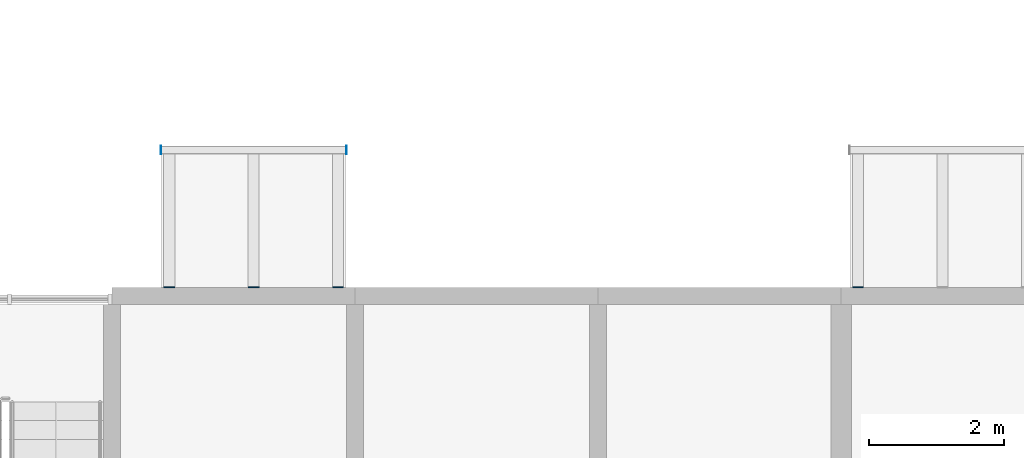
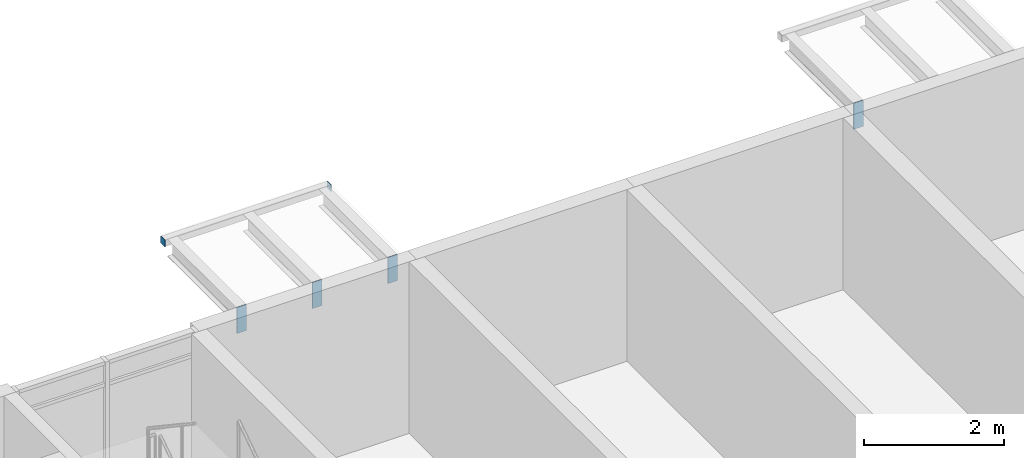
# One storey, part 96 of 122: 6 discrete accessories.
"""IFC4 building model written with IfcOpenShell, lengths in metres."""

from ifc_helpers import new_model, si_unit, direction, frame, origin, origin_2d, place, context, subcontext, project, spatial, rectangle, extrude, material, layer, layer_set, type_object, element, save


model = new_model("IFC4")

# Units and contexts
model_context = context("Model", 3, precision=1e-05, world=origin(), true_north=direction((0.0, 1.0)))
body_context = subcontext(model_context, "Body", "Model", "MODEL_VIEW")
ifc_project = project(units=[si_unit("LENGTHUNIT", "METRE"), si_unit("AREAUNIT", "SQUARE_METRE"), si_unit("VOLUMEUNIT", "CUBIC_METRE"), si_unit("PLANEANGLEUNIT", "RADIAN"), si_unit("MASSUNIT", "GRAM", prefix="KILO")], contexts=[model_context])

# Site, building, storey
site_placement = place(None, origin())
site = spatial("IfcSite", under=ifc_project, at=site_placement, CompositionType="ELEMENT")
building_placement = place(site_placement, origin())
building = spatial("IfcBuilding", under=site, at=building_placement, Name="Ridgestep Commons", CompositionType="ELEMENT")
storey_placement = place(building_placement, frame((0.0, 0.0, 3.0)))
storey = spatial("IfcBuildingStorey", under=building, at=storey_placement, Name="L01", CompositionType="ELEMENT", Elevation=3.0)

# Discrete accessories
ifc_material_1 = material(Name="Weathering steel S355J2W", Category="steel")
ifc_layer_1 = layer(ifc_material_1, 0.014892578125)
ifc_layer_set_1 = layer_set([ifc_layer_1], Name="Tray bracket plate 15")
discrete_accessory_type_1 = type_object("IfcDiscreteAccessoryType", Name="Tray bracket plate 15", PredefinedType="BRACKET", material=ifc_layer_set_1)
for number, where, z_axis, x_axis, name in (
    (1, (180.64990234375, 23.007568359375, 2.53662109375), (0.0, 0.0, 1.0), (1.0, 0.0, 0.0), "Tray bracket D3T1-02.1"),
    (2, (170.449951171875, 23.007568359375, 2.53662109375), (0.0, 0.0, 1.0), (1.0, 0.0, 0.0), "Tray bracket D2T3-02.1"),
    (3, (171.699951171875, 23.007568359375, 2.53662109375), (0.0, 0.0, 1.0), (1.0, 0.0, 0.0), "Tray bracket D2T3-02.2"),
    (4, (172.949951171875, 23.007568359375, 2.53662109375), (0.0, 0.0, 1.0), (1.0, 0.0, 0.0), "Tray bracket D2T3-02.3"),
):
    element("IfcDiscreteAccessory", number, at=place(storey_placement, frame(where, z_axis=z_axis, x_axis=x_axis)), inside=storey, type_object=discrete_accessory_type_1, Name=name, PredefinedType="BRACKET", context=body_context, shape_type="SweptSolid", body=[
        extrude(rectangle(XDim=0.159912109375, YDim=0.014892578125, at=origin_2d()), origin(), (0.0, 0.0, 1.0), 0.453369140625),
    ])
ifc_material_2 = material(Name="Weathering steel S355J2W", Category="steel")
ifc_layer_2 = layer(ifc_material_2, 0.008056640625)
ifc_layer_set_2 = layer_set([ifc_layer_2], Name="Tray edge member end plate 120 x 120 x 8")
discrete_accessory_type_2 = type_object("IfcDiscreteAccessoryType", Name="Tray edge member end plate 120 x 120 x 8", PredefinedType="BRACKET", material=ifc_layer_set_2)
for number, where, z_axis, x_axis, name in (
    (5, (170.325927734375, 25.0400390625, 2.869873046875), (0.0, 0.0, 1.0), (1.0, 0.0, 0.0), "Tray edge member end plate D2T3-02 west"),
    (6, (173.073974609375, 25.0400390625, 2.869873046875), (0.0, 0.0, 1.0), (1.0, 0.0, 0.0), "Tray edge member end plate D2T3-02 east"),
):
    element("IfcDiscreteAccessory", number, at=place(storey_placement, frame(where, z_axis=z_axis, x_axis=x_axis)), inside=storey, type_object=discrete_accessory_type_2, Name=name, PredefinedType="BRACKET", context=body_context, shape_type="SweptSolid", body=[
        extrude(rectangle(XDim=0.008056640625, YDim=0.1201171875, at=origin_2d()), origin(), (0.0, 0.0, 1.0), 0.1201171875),
    ])

save(model, "model.ifc")
